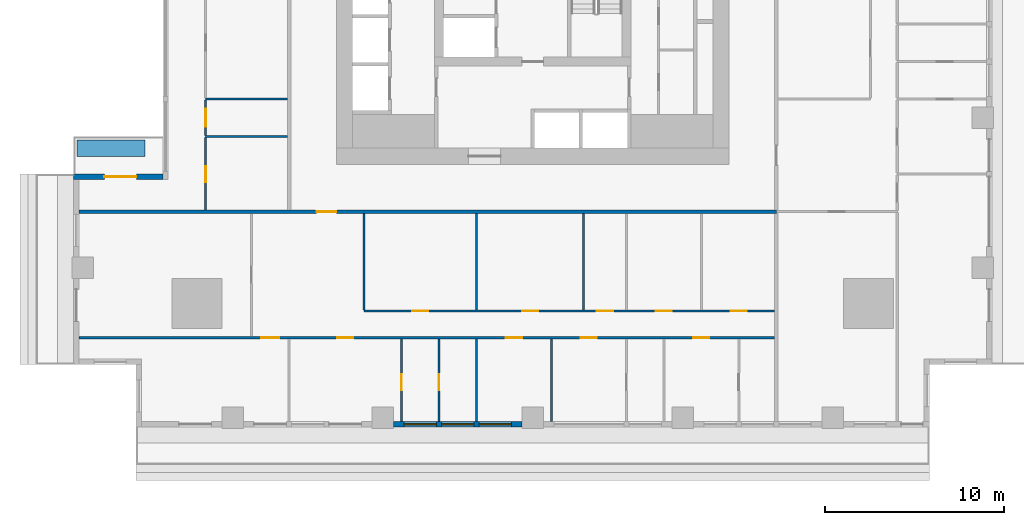
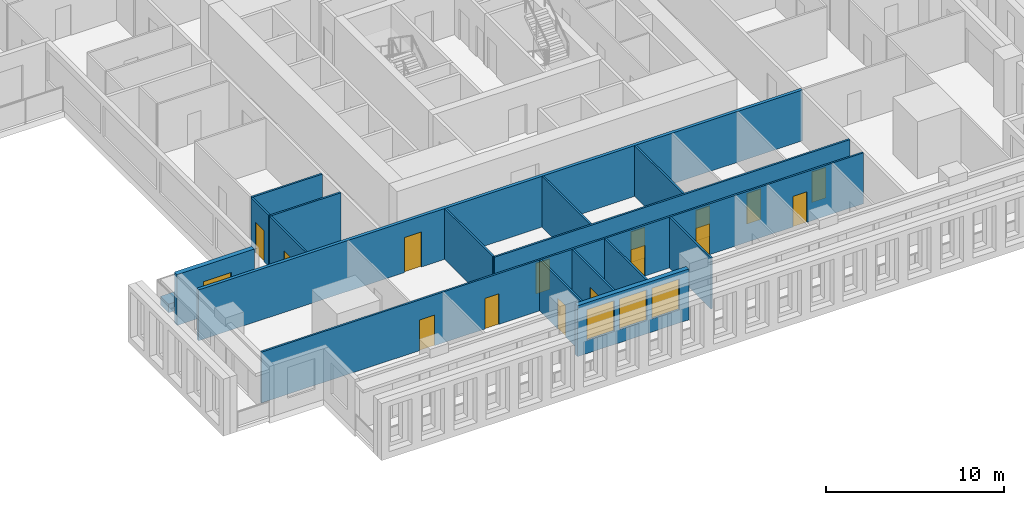
# One storey, part 2 of 14: 17 walls, 16 doors, 3 windows, 19 openings.
"""IFC4 building model written with IfcOpenShell, lengths in metres."""

from ifc_helpers import new_model, si_unit, direction, frame, frame_2d, origin, place, context, subcontext, project, spatial, rectangle, extrude, material, layer, layer_set, type_object, element, fill, save


model = new_model("IFC4")

# Units and contexts
model_context = context("Model", 3, precision=1e-05, world=origin(), true_north=direction((0.0, 1.0)))
body_context = subcontext(model_context, "Body", "Model", "MODEL_VIEW")
ifc_project = project(units=[si_unit("LENGTHUNIT", "METRE"), si_unit("AREAUNIT", "SQUARE_METRE"), si_unit("VOLUMEUNIT", "CUBIC_METRE"), si_unit("PLANEANGLEUNIT", "RADIAN"), si_unit("MASSUNIT", "GRAM", prefix="KILO")], contexts=[model_context])

# Site, building, storey
site_placement = place(None, origin())
site = spatial("IfcSite", under=ifc_project, at=site_placement, CompositionType="ELEMENT")
building_placement = place(site_placement, origin())
building = spatial("IfcBuilding", under=site, at=building_placement, Name="Khepri Terraces", CompositionType="ELEMENT")
storey_placement = place(building_placement, frame((0.0, 0.0, 110.39990234375)))
storey = spatial("IfcBuildingStorey", under=building, at=storey_placement, Name="L26", CompositionType="ELEMENT", Elevation=110.39990234375)

# Wall, opening, door
ifc_material_1 = material(Name="Fire-rated gypsum plasterboard partition, mineral wool")
ifc_layer_1 = layer(ifc_material_1, 0.199951171875, Name="Fire-rated gypsum plasterboard partition, mineral wool")
ifc_layer_set_1 = layer_set([ifc_layer_1], Name="Fire-rated gypsum plasterboard partition, mineral wool")
wall_type_1 = type_object("IfcWallType", Name="WL-CORR-200", PredefinedType="PARTITIONING", material=ifc_layer_set_1)
wall_1_placement = place(storey_placement, frame((-25.419921875, -13.64990234375, 0.0), z_axis=(0.0, 0.0, 1.0), x_axis=(1.0, 0.0, 0.0)))
wall_1 = element("IfcWall", 1, at=wall_1_placement, inside=storey, type_object=wall_type_1, Name="Partition P-019 L26", PredefinedType="PARTITIONING", context=body_context, shape_type="SweptSolid", body=[
    extrude(rectangle(XDim=39.06982421875, YDim=0.199951171875, at=frame_2d((19.534912109375, 0.0))), origin(), (0.0, 0.0, 1.0), 3.47998046875),
])
opening_1_placement = place(wall_1_placement, frame((13.320068359375, 0.0, 0.0)))
opening_1 = element("IfcOpeningElement", 2, at=opening_1_placement, cuts=wall_1, Name="Opening D1", PredefinedType="OPENING", context=body_context, shape_type="SweptSolid", body=[
    extrude(rectangle(XDim=1.10009765625, YDim=2.39990234375, at=frame_2d((0.550048828125, 1.199951171875))), frame((0.0, 0.10986328125, 0.0), z_axis=(0.0, -1.0, 0.0), x_axis=(1.0, 0.0, 0.0)), (0.0, 0.0, 1.0), 0.219970703125),
])
ifc_material_2 = material(Name="Solid-core timber door leaf, flat entrance door", Category="wood")
door_type_1 = type_object("IfcDoorType", Name="DR-ENT-1100", OperationType="NOTDEFINED", PredefinedType="DOOR", material=ifc_material_2)
door_1_placement = place(opening_1_placement, frame((1.10009765625, 0.0, 0.0), z_axis=(0.0, 0.0, 1.0), x_axis=(-1.0, 0.0, 0.0)))
door_1 = element("IfcDoor", 3, at=door_1_placement, inside=storey, type_object=door_type_1, Name="Flat A1 entrance door", OperationType="SINGLE_SWING_RIGHT", OverallHeight=2.39990234375, OverallWidth=1.10009765625, PredefinedType="DOOR", context=body_context, shape_type="SweptSolid", body=[
    extrude(rectangle(XDim=1.10009765625, YDim=2.39990234375, at=frame_2d((0.550048828125, 1.199951171875))), frame((0.0, 0.02490234375, 0.0), z_axis=(0.0, -1.0, 0.0), x_axis=(1.0, 0.0, 0.0)), (0.0, 0.0, 1.0), 0.050048828125),
])
fill(opening_1, door_1)

ifc_material_3 = material(Name="Precast concrete C50/60 warm stone", Category="masonry")
ifc_layer_2 = layer(ifc_material_3, 0.300048828125, Name="Precast concrete C50/60 warm stone", Category="masonry")
ifc_layer_set_2 = layer_set([ifc_layer_2], Name="Precast concrete C50/60 warm stone")
wall_type_2 = type_object("IfcWallType", Name="WL-EXT-PRECAST-300", PredefinedType="STANDARD", material=ifc_layer_set_2)
wall_2_placement = place(storey_placement, frame((-20.719970703125, -11.699951171875, 0.0), z_axis=(0.0, 0.0, 1.0), x_axis=(-1.0, 0.0, 0.0)))
wall_2 = element("IfcWall", 4, at=wall_2_placement, inside=storey, type_object=wall_type_2, Name="External wall L26 N", PredefinedType="STANDARD", context=body_context, shape_type="SweptSolid", body=[
    extrude(rectangle(XDim=5.0, YDim=0.300048828125, at=frame_2d((2.5, 0.0))), origin(), (0.0, 0.0, 1.0), 3.47998046875),
])
opening_2_placement = place(wall_2_placement, frame((1.47998046875, 0.0, 0.0)))
opening_2 = element("IfcOpeningElement", 5, at=opening_2_placement, cuts=wall_2, Name="Opening ED-L26-14", PredefinedType="OPENING", context=body_context, shape_type="SweptSolid", body=[
    extrude(rectangle(XDim=1.800048828125, YDim=2.39990234375, at=frame_2d((0.89990234375, 1.199951171875))), frame((0.0, 0.16015625, 0.0), z_axis=(0.0, -1.0, 0.0), x_axis=(1.0, 0.0, 0.0)), (0.0, 0.0, 1.0), 0.320068359375),
])
ifc_material_4 = material(Name="Anodised aluminium bronze glazed door", Category="aluminium")
door_type_2 = type_object("IfcDoorType", Name="DR-BAL-SLIDE-1800x2400", OperationType="NOTDEFINED", PredefinedType="DOOR", material=ifc_material_4)
door_2_placement = place(opening_2_placement, origin())
door_2 = element("IfcDoor", 6, at=door_2_placement, inside=storey, type_object=door_type_2, Name="Balcony door L26 N", OperationType="SLIDING_TO_RIGHT", OverallHeight=2.39990234375, OverallWidth=1.800048828125, PredefinedType="DOOR", context=body_context, shape_type="SweptSolid", body=[
    extrude(rectangle(XDim=1.800048828125, YDim=2.39990234375, at=frame_2d((0.89990234375, 1.199951171875))), frame((0.0, 0.02490234375, 0.0), z_axis=(0.0, -1.0, 0.0), x_axis=(1.0, 0.0, 0.0)), (0.0, 0.0, 1.0), 0.050048828125),
])
fill(opening_2, door_2)

# Wall, openings, windows
wall_3_placement = place(storey_placement, frame((-7.800048828125, -25.570068359375, 0.0), z_axis=(0.0, 0.0, 1.0), x_axis=(1.0, 0.0, 0.0)))
wall_3 = element("IfcWall", 7, at=wall_3_placement, inside=storey, type_object=wall_type_2, Name="External wall L26 S", PredefinedType="STANDARD", context=body_context, shape_type="SweptSolid", body=[
    extrude(rectangle(XDim=7.199951171875, YDim=0.300048828125, at=frame_2d((3.60009765625, 0.0))), origin(), (0.0, 0.0, 1.0), 3.47998046875),
])
opening_3_placement = place(wall_3_placement, frame((0.60009765625, 0.0, 0.89990234375)))
opening_3 = element("IfcOpeningElement", 8, at=opening_3_placement, cuts=wall_3, Name="Opening W1", PredefinedType="OPENING", context=body_context, shape_type="SweptSolid", body=[
    extrude(rectangle(XDim=1.800048828125, YDim=2.10009765625, at=frame_2d((0.89990234375, 1.050048828125))), frame((0.0, 0.16015625, 0.0), z_axis=(0.0, -1.0, 0.0), x_axis=(1.0, 0.0, 0.0)), (0.0, 0.0, 1.0), 0.320068359375),
])
opening_4_placement = place(wall_3_placement, frame((2.699951171875, 0.0, 0.89990234375)))
opening_4 = element("IfcOpeningElement", 9, at=opening_4_placement, cuts=wall_3, Name="Opening W1", PredefinedType="OPENING", context=body_context, shape_type="SweptSolid", body=[
    extrude(rectangle(XDim=1.800048828125, YDim=2.10009765625, at=frame_2d((0.89990234375, 1.050048828125))), frame((0.0, 0.16015625, 0.0), z_axis=(0.0, -1.0, 0.0), x_axis=(1.0, 0.0, 0.0)), (0.0, 0.0, 1.0), 0.320068359375),
])
opening_5_placement = place(wall_3_placement, frame((4.800048828125, 0.0, 0.89990234375)))
opening_5 = element("IfcOpeningElement", 10, at=opening_5_placement, cuts=wall_3, Name="Opening W1", PredefinedType="OPENING", context=body_context, shape_type="SweptSolid", body=[
    extrude(rectangle(XDim=1.800048828125, YDim=2.10009765625, at=frame_2d((0.89990234375, 1.050048828125))), frame((0.0, 0.16015625, 0.0), z_axis=(0.0, -1.0, 0.0), x_axis=(1.0, 0.0, 0.0)), (0.0, 0.0, 1.0), 0.320068359375),
])
ifc_material_5 = material(Name="Clear glass", Category="glass")
window_type = type_object("IfcWindowType", Name="WIN-RES-1800x2100", PartitioningType="SINGLE_PANEL", PredefinedType="WINDOW", material=ifc_material_5)
window_1_placement = place(opening_3_placement, origin())
window_1 = element("IfcWindow", 11, at=window_1_placement, inside=storey, type_object=window_type, Name="Window L26 S", OverallHeight=2.10009765625, OverallWidth=1.800048828125, PartitioningType="SINGLE_PANEL", PredefinedType="WINDOW", context=body_context, shape_type="SweptSolid", body=[
    extrude(rectangle(XDim=1.800048828125, YDim=2.10009765625, at=frame_2d((0.89990234375, 1.050048828125))), frame((0.0, 0.030029296875, 0.0), z_axis=(0.0, -1.0, 0.0), x_axis=(1.0, 0.0, 0.0)), (0.0, 0.0, 1.0), 0.06005859375),
])
fill(opening_3, window_1)
window_2_placement = place(opening_4_placement, origin())
window_2 = element("IfcWindow", 12, at=window_2_placement, inside=storey, type_object=window_type, Name="Window L26 S", OverallHeight=2.10009765625, OverallWidth=1.800048828125, PartitioningType="SINGLE_PANEL", PredefinedType="WINDOW", context=body_context, shape_type="SweptSolid", body=[
    extrude(rectangle(XDim=1.800048828125, YDim=2.10009765625, at=frame_2d((0.89990234375, 1.050048828125))), frame((0.0, 0.030029296875, 0.0), z_axis=(0.0, -1.0, 0.0), x_axis=(1.0, 0.0, 0.0)), (0.0, 0.0, 1.0), 0.06005859375),
])
fill(opening_4, window_2)
window_3_placement = place(opening_5_placement, origin())
window_3 = element("IfcWindow", 13, at=window_3_placement, inside=storey, type_object=window_type, Name="Window L26 S", OverallHeight=2.10009765625, OverallWidth=1.800048828125, PartitioningType="SINGLE_PANEL", PredefinedType="WINDOW", context=body_context, shape_type="SweptSolid", body=[
    extrude(rectangle(XDim=1.800048828125, YDim=2.10009765625, at=frame_2d((0.89990234375, 1.050048828125))), frame((0.0, 0.030029296875, 0.0), z_axis=(0.0, -1.0, 0.0), x_axis=(1.0, 0.0, 0.0)), (0.0, 0.0, 1.0), 0.06005859375),
])
fill(opening_5, window_3)

# Wall, opening, door
ifc_material_6 = material(Name="Gypsum plasterboard partition")
ifc_layer_3 = layer(ifc_material_6, 0.1201171875, Name="Gypsum plasterboard partition")
ifc_layer_set_3 = layer_set([ifc_layer_3], Name="Gypsum plasterboard partition")
wall_type_3 = type_object("IfcWallType", Name="WL-PART-120", PredefinedType="PARTITIONING", material=ifc_layer_set_3)
wall_4_placement = place(storey_placement, frame((-7.35009765625, -25.419921875, 0.0), z_axis=(0.0, 0.0, 1.0), x_axis=(0.0, 1.0, 0.0)))
wall_4 = element("IfcWall", 14, at=wall_4_placement, inside=storey, type_object=wall_type_3, Name="Partition P-002 L26", PredefinedType="PARTITIONING", context=body_context, shape_type="SweptSolid", body=[
    extrude(rectangle(XDim=4.639892578125, YDim=0.1201171875, at=frame_2d((2.31982421875, 0.0))), origin(), (0.0, 0.0, 1.0), 3.47998046875),
])
opening_6_placement = place(wall_4_placement, frame((1.75, 0.0, 0.0)))
opening_6 = element("IfcOpeningElement", 15, at=opening_6_placement, cuts=wall_4, Name="Opening D3", PredefinedType="OPENING", context=body_context, shape_type="SweptSolid", body=[
    extrude(rectangle(XDim=0.89990234375, YDim=2.10009765625, at=frame_2d((0.449951171875, 1.050048828125))), frame((0.0, 0.070068359375, 0.0), z_axis=(0.0, -1.0, 0.0), x_axis=(1.0, 0.0, 0.0)), (0.0, 0.0, 1.0), 0.14013671875),
])
ifc_material_7 = material(Name="Timber door leaf", Category="wood")
door_type_3 = type_object("IfcDoorType", Name="DR-INT-900", OperationType="NOTDEFINED", PredefinedType="DOOR", material=ifc_material_7)
door_3_placement = place(opening_6_placement, frame((0.89990234375, 0.0, 0.0), z_axis=(0.0, 0.0, 1.0), x_axis=(-1.0, 0.0, 0.0)))
door_3 = element("IfcDoor", 16, at=door_3_placement, inside=storey, type_object=door_type_3, Name="Door Dressing Room", OperationType="SINGLE_SWING_RIGHT", OverallHeight=2.10009765625, OverallWidth=0.89990234375, PredefinedType="DOOR", context=body_context, shape_type="SweptSolid", body=[
    extrude(rectangle(XDim=0.89990234375, YDim=2.10009765625, at=frame_2d((0.449951171875, 1.050048828125))), frame((0.0, 0.02490234375, 0.0), z_axis=(0.0, -1.0, 0.0), x_axis=(1.0, 0.0, 0.0)), (0.0, 0.0, 1.0), 0.050048828125),
])
fill(opening_6, door_3)

wall_5_placement = place(storey_placement, frame((-5.25, -25.419921875, 0.0), z_axis=(0.0, 0.0, 1.0), x_axis=(0.0, 1.0, 0.0)))
wall_5 = element("IfcWall", 17, at=wall_5_placement, inside=storey, type_object=wall_type_3, Name="Partition P-003 L26", PredefinedType="PARTITIONING", context=body_context, shape_type="SweptSolid", body=[
    extrude(rectangle(XDim=4.639892578125, YDim=0.1201171875, at=frame_2d((2.31982421875, 0.0))), origin(), (0.0, 0.0, 1.0), 3.47998046875),
])
opening_7_placement = place(wall_5_placement, frame((1.75, 0.0, 0.0)))
opening_7 = element("IfcOpeningElement", 18, at=opening_7_placement, cuts=wall_5, Name="Opening D4", PredefinedType="OPENING", context=body_context, shape_type="SweptSolid", body=[
    extrude(rectangle(XDim=0.89990234375, YDim=2.10009765625, at=frame_2d((0.449951171875, 1.050048828125))), frame((0.0, 0.070068359375, 0.0), z_axis=(0.0, -1.0, 0.0), x_axis=(1.0, 0.0, 0.0)), (0.0, 0.0, 1.0), 0.14013671875),
])
ifc_material_8 = material(Name="Timber door leaf, moisture resistant", Category="wood")
door_type_4 = type_object("IfcDoorType", Name="DR-WET-900", OperationType="NOTDEFINED", PredefinedType="DOOR", material=ifc_material_8)
door_4_placement = place(opening_7_placement, frame((0.89990234375, 0.0, 0.0), z_axis=(0.0, 0.0, 1.0), x_axis=(-1.0, 0.0, 0.0)))
door_4 = element("IfcDoor", 19, at=door_4_placement, inside=storey, type_object=door_type_4, Name="Door Bathroom", OperationType="SINGLE_SWING_RIGHT", OverallHeight=2.10009765625, OverallWidth=0.89990234375, PredefinedType="DOOR", context=body_context, shape_type="SweptSolid", body=[
    extrude(rectangle(XDim=0.89990234375, YDim=2.10009765625, at=frame_2d((0.449951171875, 1.050048828125))), frame((0.0, 0.02490234375, 0.0), z_axis=(0.0, -1.0, 0.0), x_axis=(1.0, 0.0, 0.0)), (0.0, 0.0, 1.0), 0.050048828125),
])
fill(opening_7, door_4)

# Walls
for number, where, z_axis, x_axis, name in (
    (20, (-3.14990234375, -25.419921875, 0.0), (0.0, 0.0, 1.0), (0.0, 1.0, 0.0), "Partition P-004 L26"),
    (21, (1.050048828125, -25.419921875, 0.0), (0.0, 0.0, 1.0), (0.0, 1.0, 0.0), "Partition P-005 L26"),
):
    element("IfcWall", number, at=place(storey_placement, frame(where, z_axis=z_axis, x_axis=x_axis)), inside=storey, type_object=wall_type_3, Name=name, PredefinedType="PARTITIONING", context=body_context, shape_type="SweptSolid", body=[
        extrude(rectangle(XDim=4.639892578125, YDim=0.1201171875, at=frame_2d((2.31982421875, 0.0))), origin(), (0.0, 0.0, 1.0), 3.47998046875),
    ])

# Wall, openings, doors
wall_6_placement = place(storey_placement, frame((-25.419921875, -20.719970703125, 0.0), z_axis=(0.0, 0.0, 1.0), x_axis=(1.0, 0.0, 0.0)))
wall_6 = element("IfcWall", 22, at=wall_6_placement, inside=storey, type_object=wall_type_3, Name="Partition P-011 L26", PredefinedType="PARTITIONING", context=body_context, shape_type="SweptSolid", body=[
    extrude(rectangle(XDim=38.969970703125, YDim=0.1201171875, at=frame_2d((19.48486328125, 0.0))), origin(), (0.0, 0.0, 1.0), 3.47998046875),
])
opening_8_placement = place(wall_6_placement, frame((10.219970703125, 0.0, 0.0)))
opening_8 = element("IfcOpeningElement", 23, at=opening_8_placement, cuts=wall_6, Name="Opening D2", PredefinedType="OPENING", context=body_context, shape_type="SweptSolid", body=[
    extrude(rectangle(XDim=1.0, YDim=2.10009765625, at=frame_2d((0.5, 1.050048828125))), frame((0.0, 0.070068359375, 0.0), z_axis=(0.0, -1.0, 0.0), x_axis=(1.0, 0.0, 0.0)), (0.0, 0.0, 1.0), 0.14013671875),
])
opening_9_placement = place(wall_6_placement, frame((14.469970703125, 0.0, 0.0)))
opening_9 = element("IfcOpeningElement", 24, at=opening_9_placement, cuts=wall_6, Name="Opening D3", PredefinedType="OPENING", context=body_context, shape_type="SweptSolid", body=[
    extrude(rectangle(XDim=0.89990234375, YDim=2.10009765625, at=frame_2d((0.449951171875, 1.050048828125))), frame((0.0, 0.070068359375, 0.0), z_axis=(0.0, -1.0, 0.0), x_axis=(1.0, 0.0, 0.0)), (0.0, 0.0, 1.0), 0.14013671875),
])
opening_10_placement = place(wall_6_placement, frame((23.919921875, 0.0, 0.0)))
opening_10 = element("IfcOpeningElement", 25, at=opening_10_placement, cuts=wall_6, Name="Opening D3", PredefinedType="OPENING", context=body_context, shape_type="SweptSolid", body=[
    extrude(rectangle(XDim=0.89990234375, YDim=2.10009765625, at=frame_2d((0.449951171875, 1.050048828125))), frame((0.0, 0.070068359375, 0.0), z_axis=(0.0, -1.0, 0.0), x_axis=(1.0, 0.0, 0.0)), (0.0, 0.0, 1.0), 0.14013671875),
])
opening_11_placement = place(wall_6_placement, frame((28.1201171875, 0.0, 0.0)))
opening_11 = element("IfcOpeningElement", 26, at=opening_11_placement, cuts=wall_6, Name="Opening D3", PredefinedType="OPENING", context=body_context, shape_type="SweptSolid", body=[
    extrude(rectangle(XDim=0.89990234375, YDim=2.10009765625, at=frame_2d((0.449951171875, 1.050048828125))), frame((0.0, 0.070068359375, 0.0), z_axis=(0.0, -1.0, 0.0), x_axis=(1.0, 0.0, 0.0)), (0.0, 0.0, 1.0), 0.14013671875),
])
opening_12_placement = place(wall_6_placement, frame((34.419921875, 0.0, 0.0)))
opening_12 = element("IfcOpeningElement", 27, at=opening_12_placement, cuts=wall_6, Name="Opening D3", PredefinedType="OPENING", context=body_context, shape_type="SweptSolid", body=[
    extrude(rectangle(XDim=0.89990234375, YDim=2.10009765625, at=frame_2d((0.449951171875, 1.050048828125))), frame((0.0, 0.070068359375, 0.0), z_axis=(0.0, -1.0, 0.0), x_axis=(1.0, 0.0, 0.0)), (0.0, 0.0, 1.0), 0.14013671875),
])
ifc_material_9 = material(Name="Timber door leaf, living room door", Category="wood")
door_type_5 = type_object("IfcDoorType", Name="DR-INT-1000", OperationType="NOTDEFINED", PredefinedType="DOOR", material=ifc_material_9)
door_5_placement = place(opening_8_placement, frame((1.0, 0.0, 0.0), z_axis=(0.0, 0.0, 1.0), x_axis=(-1.0, 0.0, 0.0)))
door_5 = element("IfcDoor", 28, at=door_5_placement, inside=storey, type_object=door_type_5, Name="Door Living Room", OperationType="SINGLE_SWING_RIGHT", OverallHeight=2.10009765625, OverallWidth=1.0, PredefinedType="DOOR", context=body_context, shape_type="SweptSolid", body=[
    extrude(rectangle(XDim=1.0, YDim=2.10009765625, at=frame_2d((0.5, 1.050048828125))), frame((0.0, 0.02490234375, 0.0), z_axis=(0.0, -1.0, 0.0), x_axis=(1.0, 0.0, 0.0)), (0.0, 0.0, 1.0), 0.050048828125),
])
fill(opening_8, door_5)
door_6_placement = place(opening_9_placement, frame((0.89990234375, 0.0, 0.0), z_axis=(0.0, 0.0, 1.0), x_axis=(-1.0, 0.0, 0.0)))
door_6 = element("IfcDoor", 29, at=door_6_placement, inside=storey, type_object=door_type_3, Name="Door Master Bedroom", OperationType="SINGLE_SWING_RIGHT", OverallHeight=2.10009765625, OverallWidth=0.89990234375, PredefinedType="DOOR", context=body_context, shape_type="SweptSolid", body=[
    extrude(rectangle(XDim=0.89990234375, YDim=2.10009765625, at=frame_2d((0.449951171875, 1.050048828125))), frame((0.0, 0.02490234375, 0.0), z_axis=(0.0, -1.0, 0.0), x_axis=(1.0, 0.0, 0.0)), (0.0, 0.0, 1.0), 0.050048828125),
])
fill(opening_9, door_6)
door_7_placement = place(opening_10_placement, frame((0.89990234375, 0.0, 0.0), z_axis=(0.0, 0.0, 1.0), x_axis=(-1.0, 0.0, 0.0)))
door_7 = element("IfcDoor", 30, at=door_7_placement, inside=storey, type_object=door_type_3, Name="Door Home Office", OperationType="SINGLE_SWING_LEFT", OverallHeight=2.10009765625, OverallWidth=0.89990234375, PredefinedType="DOOR", context=body_context, shape_type="SweptSolid", body=[
    extrude(rectangle(XDim=0.89990234375, YDim=2.10009765625, at=frame_2d((0.449951171875, 1.050048828125))), frame((0.0, 0.02490234375, 0.0), z_axis=(0.0, -1.0, 0.0), x_axis=(1.0, 0.0, 0.0)), (0.0, 0.0, 1.0), 0.050048828125),
])
fill(opening_10, door_7)
door_8_placement = place(opening_11_placement, frame((0.89990234375, 0.0, 0.0), z_axis=(0.0, 0.0, 1.0), x_axis=(-1.0, 0.0, 0.0)))
door_8 = element("IfcDoor", 31, at=door_8_placement, inside=storey, type_object=door_type_3, Name="Door Bedroom", OperationType="SINGLE_SWING_LEFT", OverallHeight=2.10009765625, OverallWidth=0.89990234375, PredefinedType="DOOR", context=body_context, shape_type="SweptSolid", body=[
    extrude(rectangle(XDim=0.89990234375, YDim=2.10009765625, at=frame_2d((0.449951171875, 1.050048828125))), frame((0.0, 0.02490234375, 0.0), z_axis=(0.0, -1.0, 0.0), x_axis=(1.0, 0.0, 0.0)), (0.0, 0.0, 1.0), 0.050048828125),
])
fill(opening_11, door_8)
door_9_placement = place(opening_12_placement, frame((0.89990234375, 0.0, 0.0), z_axis=(0.0, 0.0, 1.0), x_axis=(-1.0, 0.0, 0.0)))
door_9 = element("IfcDoor", 32, at=door_9_placement, inside=storey, type_object=door_type_3, Name="Door Bedroom", OperationType="SINGLE_SWING_LEFT", OverallHeight=2.10009765625, OverallWidth=0.89990234375, PredefinedType="DOOR", context=body_context, shape_type="SweptSolid", body=[
    extrude(rectangle(XDim=0.89990234375, YDim=2.10009765625, at=frame_2d((0.449951171875, 1.050048828125))), frame((0.0, 0.02490234375, 0.0), z_axis=(0.0, -1.0, 0.0), x_axis=(1.0, 0.0, 0.0)), (0.0, 0.0, 1.0), 0.050048828125),
])
fill(opening_12, door_9)

wall_7_placement = place(storey_placement, frame((-9.449951171875, -19.219970703125, 0.0), z_axis=(0.0, 0.0, 1.0), x_axis=(1.0, 0.0, 0.0)))
wall_7 = element("IfcWall", 33, at=wall_7_placement, inside=storey, type_object=wall_type_3, Name="Partition P-013 L26", PredefinedType="PARTITIONING", context=body_context, shape_type="SweptSolid", body=[
    extrude(rectangle(XDim=23.0, YDim=0.1201171875, at=frame_2d((11.5, 0.0))), origin(), (0.0, 0.0, 1.0), 3.47998046875),
])
opening_13_placement = place(wall_7_placement, frame((2.699951171875, 0.0, 0.0)))
opening_13 = element("IfcOpeningElement", 34, at=opening_13_placement, cuts=wall_7, Name="Opening D3", PredefinedType="OPENING", context=body_context, shape_type="SweptSolid", body=[
    extrude(rectangle(XDim=0.89990234375, YDim=2.10009765625, at=frame_2d((0.449951171875, 1.050048828125))), frame((0.0, 0.070068359375, 0.0), z_axis=(0.0, -1.0, 0.0), x_axis=(1.0, 0.0, 0.0)), (0.0, 0.0, 1.0), 0.14013671875),
])
opening_14_placement = place(wall_7_placement, frame((8.85009765625, 0.0, 0.0)))
opening_14 = element("IfcOpeningElement", 35, at=opening_14_placement, cuts=wall_7, Name="Opening D3", PredefinedType="OPENING", context=body_context, shape_type="SweptSolid", body=[
    extrude(rectangle(XDim=0.89990234375, YDim=2.10009765625, at=frame_2d((0.449951171875, 1.050048828125))), frame((0.0, 0.070068359375, 0.0), z_axis=(0.0, -1.0, 0.0), x_axis=(1.0, 0.0, 0.0)), (0.0, 0.0, 1.0), 0.14013671875),
])
opening_15_placement = place(wall_7_placement, frame((13.050048828125, 0.0, 0.0)))
opening_15 = element("IfcOpeningElement", 36, at=opening_15_placement, cuts=wall_7, Name="Opening D4", PredefinedType="OPENING", context=body_context, shape_type="SweptSolid", body=[
    extrude(rectangle(XDim=0.89990234375, YDim=2.10009765625, at=frame_2d((0.449951171875, 1.050048828125))), frame((0.0, 0.070068359375, 0.0), z_axis=(0.0, -1.0, 0.0), x_axis=(1.0, 0.0, 0.0)), (0.0, 0.0, 1.0), 0.14013671875),
])
opening_16_placement = place(wall_7_placement, frame((16.35009765625, 0.0, 0.0)))
opening_16 = element("IfcOpeningElement", 37, at=opening_16_placement, cuts=wall_7, Name="Opening D4", PredefinedType="OPENING", context=body_context, shape_type="SweptSolid", body=[
    extrude(rectangle(XDim=0.89990234375, YDim=2.10009765625, at=frame_2d((0.449951171875, 1.050048828125))), frame((0.0, 0.070068359375, 0.0), z_axis=(0.0, -1.0, 0.0), x_axis=(1.0, 0.0, 0.0)), (0.0, 0.0, 1.0), 0.14013671875),
])
opening_17_placement = place(wall_7_placement, frame((20.550048828125, 0.0, 0.0)))
opening_17 = element("IfcOpeningElement", 38, at=opening_17_placement, cuts=wall_7, Name="Opening D3", PredefinedType="OPENING", context=body_context, shape_type="SweptSolid", body=[
    extrude(rectangle(XDim=0.89990234375, YDim=2.10009765625, at=frame_2d((0.449951171875, 1.050048828125))), frame((0.0, 0.070068359375, 0.0), z_axis=(0.0, -1.0, 0.0), x_axis=(1.0, 0.0, 0.0)), (0.0, 0.0, 1.0), 0.14013671875),
])
door_10_placement = place(opening_13_placement, origin())
door_10 = element("IfcDoor", 39, at=door_10_placement, inside=storey, type_object=door_type_3, Name="Door Kitchen", OperationType="SINGLE_SWING_LEFT", OverallHeight=2.10009765625, OverallWidth=0.89990234375, PredefinedType="DOOR", context=body_context, shape_type="SweptSolid", body=[
    extrude(rectangle(XDim=0.89990234375, YDim=2.10009765625, at=frame_2d((0.449951171875, 1.050048828125))), frame((0.0, 0.02490234375, 0.0), z_axis=(0.0, -1.0, 0.0), x_axis=(1.0, 0.0, 0.0)), (0.0, 0.0, 1.0), 0.050048828125),
])
fill(opening_13, door_10)
door_11_placement = place(opening_14_placement, origin())
door_11 = element("IfcDoor", 40, at=door_11_placement, inside=storey, type_object=door_type_3, Name="Door Staff Bedroom", OperationType="SINGLE_SWING_LEFT", OverallHeight=2.10009765625, OverallWidth=0.89990234375, PredefinedType="DOOR", context=body_context, shape_type="SweptSolid", body=[
    extrude(rectangle(XDim=0.89990234375, YDim=2.10009765625, at=frame_2d((0.449951171875, 1.050048828125))), frame((0.0, 0.02490234375, 0.0), z_axis=(0.0, -1.0, 0.0), x_axis=(1.0, 0.0, 0.0)), (0.0, 0.0, 1.0), 0.050048828125),
])
fill(opening_14, door_11)
door_12_placement = place(opening_17_placement, origin())
door_12 = element("IfcDoor", 41, at=door_12_placement, inside=storey, type_object=door_type_3, Name="Door Library", OperationType="SINGLE_SWING_RIGHT", OverallHeight=2.10009765625, OverallWidth=0.89990234375, PredefinedType="DOOR", context=body_context, shape_type="SweptSolid", body=[
    extrude(rectangle(XDim=0.89990234375, YDim=2.10009765625, at=frame_2d((0.449951171875, 1.050048828125))), frame((0.0, 0.02490234375, 0.0), z_axis=(0.0, -1.0, 0.0), x_axis=(1.0, 0.0, 0.0)), (0.0, 0.0, 1.0), 0.050048828125),
])
fill(opening_17, door_12)
door_13_placement = place(opening_15_placement, origin())
door_13 = element("IfcDoor", 42, at=door_13_placement, inside=storey, type_object=door_type_4, Name="Door Powder Room", OperationType="SINGLE_SWING_RIGHT", OverallHeight=2.10009765625, OverallWidth=0.89990234375, PredefinedType="DOOR", context=body_context, shape_type="SweptSolid", body=[
    extrude(rectangle(XDim=0.89990234375, YDim=2.10009765625, at=frame_2d((0.449951171875, 1.050048828125))), frame((0.0, 0.02490234375, 0.0), z_axis=(0.0, -1.0, 0.0), x_axis=(1.0, 0.0, 0.0)), (0.0, 0.0, 1.0), 0.050048828125),
])
fill(opening_15, door_13)
door_14_placement = place(opening_16_placement, origin())
door_14 = element("IfcDoor", 43, at=door_14_placement, inside=storey, type_object=door_type_4, Name="Door Guest Bathroom", OperationType="SINGLE_SWING_RIGHT", OverallHeight=2.10009765625, OverallWidth=0.89990234375, PredefinedType="DOOR", context=body_context, shape_type="SweptSolid", body=[
    extrude(rectangle(XDim=0.89990234375, YDim=2.10009765625, at=frame_2d((0.449951171875, 1.050048828125))), frame((0.0, 0.02490234375, 0.0), z_axis=(0.0, -1.0, 0.0), x_axis=(1.0, 0.0, 0.0)), (0.0, 0.0, 1.0), 0.050048828125),
])
fill(opening_16, door_14)

# Walls
for number, where, z_axis, x_axis, name in (
    (44, (-9.449951171875, -19.159912109375, 0.0), (0.0, 0.0, 1.0), (0.0, 1.0, 0.0), "Partition P-014 L26"),
    (45, (-3.14990234375, -19.159912109375, 0.0), (0.0, 0.0, 1.0), (0.0, 1.0, 0.0), "Partition P-015 L26"),
    (46, (2.85009765625, -19.159912109375, 0.0), (0.0, 0.0, 1.0), (0.0, 1.0, 0.0), "Partition P-016 L26"),
):
    element("IfcWall", number, at=place(storey_placement, frame(where, z_axis=z_axis, x_axis=x_axis)), inside=storey, type_object=wall_type_3, Name=name, PredefinedType="PARTITIONING", context=body_context, shape_type="SweptSolid", body=[
        extrude(rectangle(XDim=5.409912109375, YDim=0.1201171875, at=frame_2d((2.705078125, 0.0))), origin(), (0.0, 0.0, 1.0), 3.47998046875),
    ])

# Wall, opening, door
wall_8_placement = place(storey_placement, frame((-18.320068359375, -13.550048828125, 0.0), z_axis=(0.0, 0.0, 1.0), x_axis=(0.0, 1.0, 0.0)))
wall_8 = element("IfcWall", 47, at=wall_8_placement, inside=storey, type_object=wall_type_3, Name="Partition P-022 L26", PredefinedType="PARTITIONING", context=body_context, shape_type="SweptSolid", body=[
    extrude(rectangle(XDim=4.0400390625, YDim=0.1201171875, at=frame_2d((2.02001953125, 0.0))), origin(), (0.0, 0.0, 1.0), 3.47998046875),
])
opening_18_placement = place(wall_8_placement, frame((1.550048828125, 0.0, 0.0)))
opening_18 = element("IfcOpeningElement", 48, at=opening_18_placement, cuts=wall_8, Name="Opening D3", PredefinedType="OPENING", context=body_context, shape_type="SweptSolid", body=[
    extrude(rectangle(XDim=0.89990234375, YDim=2.10009765625, at=frame_2d((0.449951171875, 1.050048828125))), frame((0.0, 0.070068359375, 0.0), z_axis=(0.0, -1.0, 0.0), x_axis=(1.0, 0.0, 0.0)), (0.0, 0.0, 1.0), 0.14013671875),
])
door_15_placement = place(opening_18_placement, frame((0.89990234375, 0.0, 0.0), z_axis=(0.0, 0.0, 1.0), x_axis=(-1.0, 0.0, 0.0)))
door_15 = element("IfcDoor", 49, at=door_15_placement, inside=storey, type_object=door_type_3, Name="Door Staff Bedroom", OperationType="SINGLE_SWING_RIGHT", OverallHeight=2.10009765625, OverallWidth=0.89990234375, PredefinedType="DOOR", context=body_context, shape_type="SweptSolid", body=[
    extrude(rectangle(XDim=0.89990234375, YDim=2.10009765625, at=frame_2d((0.449951171875, 1.050048828125))), frame((0.0, 0.02490234375, 0.0), z_axis=(0.0, -1.0, 0.0), x_axis=(1.0, 0.0, 0.0)), (0.0, 0.0, 1.0), 0.050048828125),
])
fill(opening_18, door_15)

# Wall
wall_9_placement = place(storey_placement, frame((-18.320068359375, -9.449951171875, 0.0), z_axis=(0.0, 0.0, 1.0), x_axis=(1.0, 0.0, 0.0)))
element("IfcWall", 50, at=wall_9_placement, inside=storey, type_object=wall_type_3, Name="Partition P-027 L26", PredefinedType="PARTITIONING", context=body_context, shape_type="SweptSolid", body=[
    extrude(rectangle(XDim=4.570068359375, YDim=0.1201171875, at=frame_2d((2.28515625, 0.0))), origin(), (0.0, 0.0, 1.0), 3.47998046875),
])

# Wall, opening, door
wall_10_placement = place(storey_placement, frame((-18.320068359375, -9.389892578125, 0.0), z_axis=(0.0, 0.0, 1.0), x_axis=(0.0, 1.0, 0.0)))
wall_10 = element("IfcWall", 51, at=wall_10_placement, inside=storey, type_object=wall_type_3, Name="Partition P-028 L26", PredefinedType="PARTITIONING", context=body_context, shape_type="SweptSolid", body=[
    extrude(rectangle(XDim=1.97998046875, YDim=0.1201171875, at=frame_2d((0.989990234375, 0.0))), origin(), (0.0, 0.0, 1.0), 3.47998046875),
])
opening_19_placement = place(wall_10_placement, frame((0.489990234375, 0.0, 0.0)))
opening_19 = element("IfcOpeningElement", 52, at=opening_19_placement, cuts=wall_10, Name="Opening D2", PredefinedType="OPENING", context=body_context, shape_type="SweptSolid", body=[
    extrude(rectangle(XDim=1.0, YDim=2.10009765625, at=frame_2d((0.5, 1.050048828125))), frame((0.0, 0.070068359375, 0.0), z_axis=(0.0, -1.0, 0.0), x_axis=(1.0, 0.0, 0.0)), (0.0, 0.0, 1.0), 0.14013671875),
])
door_16_placement = place(opening_19_placement, frame((1.0, 0.0, 0.0), z_axis=(0.0, 0.0, 1.0), x_axis=(-1.0, 0.0, 0.0)))
door_16 = element("IfcDoor", 53, at=door_16_placement, inside=storey, type_object=door_type_5, Name="Door Family Room", OperationType="SINGLE_SWING_LEFT", OverallHeight=2.10009765625, OverallWidth=1.0, PredefinedType="DOOR", context=body_context, shape_type="SweptSolid", body=[
    extrude(rectangle(XDim=1.0, YDim=2.10009765625, at=frame_2d((0.5, 1.050048828125))), frame((0.0, 0.02490234375, 0.0), z_axis=(0.0, -1.0, 0.0), x_axis=(1.0, 0.0, 0.0)), (0.0, 0.0, 1.0), 0.050048828125),
])
fill(opening_19, door_16)

# Walls
wall_11_placement = place(storey_placement, frame((-18.320068359375, -7.35009765625, 0.0), z_axis=(0.0, 0.0, 1.0), x_axis=(1.0, 0.0, 0.0)))
element("IfcWall", 54, at=wall_11_placement, inside=storey, type_object=wall_type_3, Name="Partition P-029 L26", PredefinedType="PARTITIONING", context=body_context, shape_type="SweptSolid", body=[
    extrude(rectangle(XDim=4.570068359375, YDim=0.1201171875, at=frame_2d((2.28515625, 0.0))), origin(), (0.0, 0.0, 1.0), 3.47998046875),
])
ifc_layer_4 = layer(ifc_material_3, 0.89990234375, Name="Precast concrete C50/60 warm stone", Category="masonry")
ifc_layer_set_4 = layer_set([ifc_layer_4], Name="Precast concrete C50/60 warm stone")
wall_type_4 = type_object("IfcWallType", Name="WL-PLANTER-900", PredefinedType="MOVABLE", material=ifc_layer_set_4)
wall_12_placement = place(storey_placement, frame((-25.52001953125, -10.10009765625, 0.0), z_axis=(0.0, 0.0, 1.0), x_axis=(1.0, 0.0, 0.0)))
element("IfcWall", 55, at=wall_12_placement, inside=storey, type_object=wall_type_4, Name="Planter L26", PredefinedType="MOVABLE", context=body_context, shape_type="SweptSolid", body=[
    extrude(rectangle(XDim=3.800048828125, YDim=0.89990234375, at=frame_2d((1.89990234375, 0.0))), origin(), (0.0, 0.0, 1.0), 0.60009765625),
])

save(model, "model.ifc")
